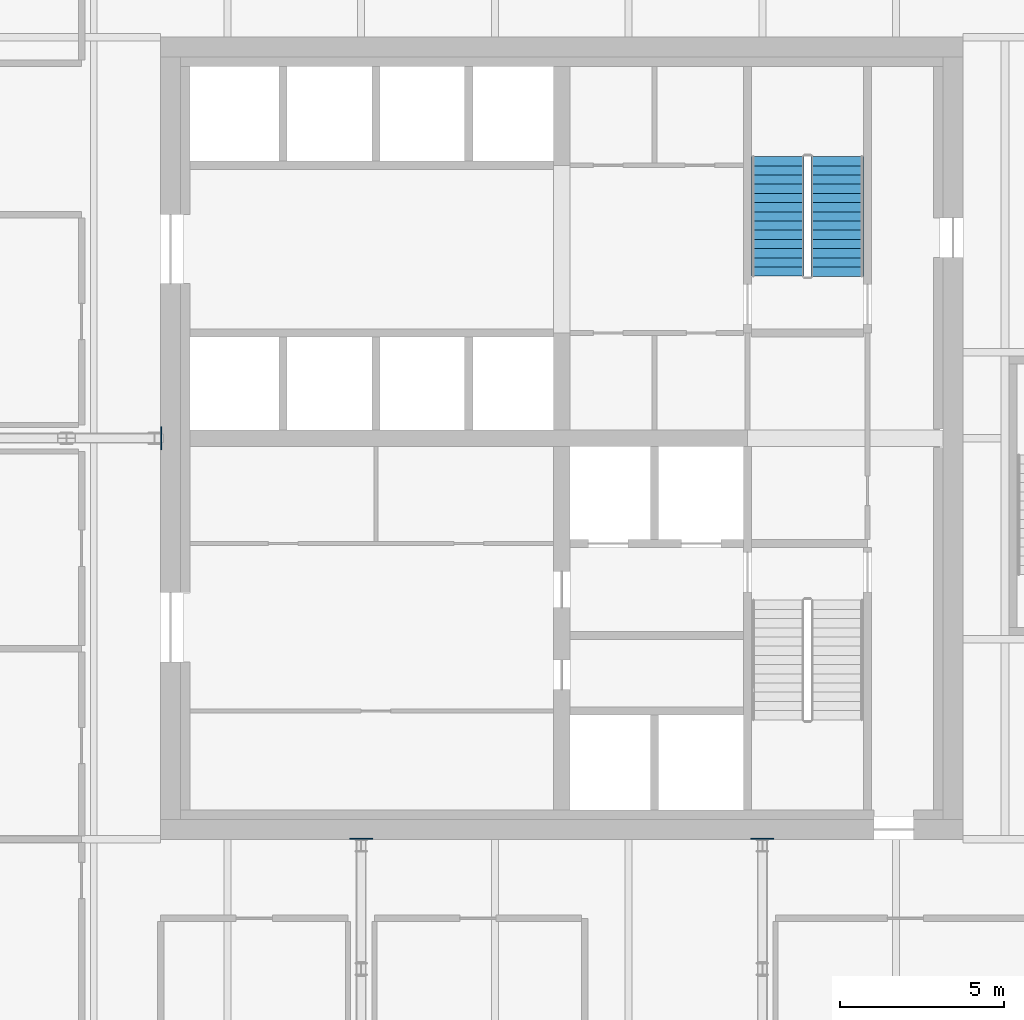
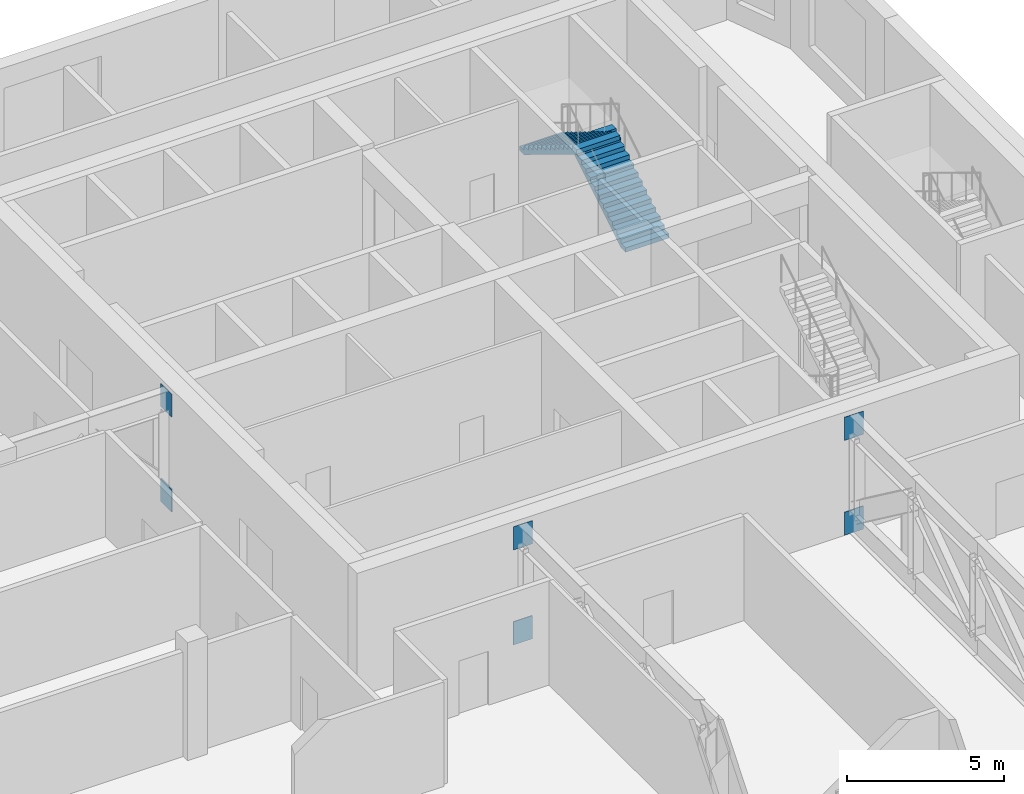
# One storey, part 11 of 12: 6 discrete accessories, 2 stair flights, 1 element without a shape of its own.
"""IFC4 building model written with IfcOpenShell, lengths in metres."""

from ifc_helpers import new_model, si_unit, direction, frame, origin, origin_2d, place, context, subcontext, project, spatial, polyline, rectangle, outline, extrude, material, layer, layer_set, type_object, element, aggregate, save


model = new_model("IFC4")

# Units and contexts
model_context = context("Model", 3, precision=1e-05, world=origin(), true_north=direction((0.0, 1.0)))
body_context = subcontext(model_context, "Body", "Model", "MODEL_VIEW")
ifc_project = project(units=[si_unit("LENGTHUNIT", "METRE"), si_unit("AREAUNIT", "SQUARE_METRE"), si_unit("VOLUMEUNIT", "CUBIC_METRE"), si_unit("PLANEANGLEUNIT", "RADIAN"), si_unit("MASSUNIT", "GRAM", prefix="KILO")], contexts=[model_context])

# Site, building, storey
site_placement = place(None, origin())
site = spatial("IfcSite", under=ifc_project, at=site_placement, CompositionType="ELEMENT")
building_placement = place(site_placement, origin())
building = spatial("IfcBuilding", under=site, at=building_placement, Name="Tessera Gate Towers", CompositionType="ELEMENT")
storey_placement = place(building_placement, frame((0.0, 0.0, 150.60009765625)))
storey = spatial("IfcBuildingStorey", under=building, at=storey_placement, Name="L37", CompositionType="ELEMENT", Elevation=150.60009765625)

# Stair, stair flights
ifc_material_1 = material(Name="Concrete C40/50", Category="concrete")
stair_type = type_object("IfcStairType", Name="EXIT STAIR ST2A 1600", PredefinedType="HALF_TURN_STAIR", material=ifc_material_1)
stair_placement = place(storey_placement, origin())
stair = element("IfcStair", 1, at=stair_placement, inside=storey, type_object=stair_type, Name="L37 Protected Exit Stair ST2", PredefinedType="HALF_TURN_STAIR")
ifc_material_2 = material(Name="Concrete C40/50", Category="concrete")
stair_flight_type = type_object("IfcStairFlightType", Name="EXIT STAIR FLIGHT ST2A 1600", PredefinedType="STRAIGHT", material=ifc_material_2)
stair_flight_1_placement = place(storey_placement, frame((51.074951171875, 41.52490234375, 0.0), z_axis=(0.0, 0.0, 1.0), x_axis=(0.0, 1.0, 0.0)))
stair_flight_1 = element("IfcStairFlight", 2, at=stair_flight_1_placement, type_object=stair_flight_type, Name="ST2 flight 1", NumberOfRisers=14, NumberOfTreads=13, PredefinedType="STRAIGHT", RiserHeight=0.171428571, TreadLength=0.28, context=body_context, shape_type="SweptSolid", body=[
    extrude(outline(polyline([(0.0, 0.0), (0.0, 0.17138671875), (0.280029296875, 0.17138671875), (0.280029296875, 0.3427734375), (0.56005859375, 0.3427734375), (0.56005859375, 0.514404296875), (0.840087890625, 0.514404296875), (0.840087890625, 0.685791015625), (1.1201171875, 0.685791015625), (1.1201171875, 0.857177734375), (1.39990234375, 0.857177734375), (1.39990234375, 1.028564453125), (1.679931640625, 1.028564453125), (1.679931640625, 1.199951171875), (1.9599609375, 1.199951171875), (1.9599609375, 1.371337890625), (2.239990234375, 1.371337890625), (2.239990234375, 1.54296875), (2.52001953125, 1.54296875), (2.52001953125, 1.71435546875), (2.800048828125, 1.71435546875), (2.800048828125, 1.8857421875), (3.080078125, 1.8857421875), (3.080078125, 2.05712890625), (3.360107421875, 2.05712890625), (3.360107421875, 2.228515625), (3.639892578125, 2.228515625), (3.639892578125, 2.39990234375), (3.639892578125, 2.052734375), (0.287109375, 0.0), (0.0, 0.0)])), frame((0.0, 0.800048828125, 0.0), z_axis=(0.0, -1.0, 0.0), x_axis=(1.0, 0.0, 0.0)), (0.0, 0.0, 1.0), 1.60009765625),
])
stair_flight_2_placement = place(storey_placement, frame((49.27490234375, 45.1650390625, 2.39990234375), z_axis=(0.0, 0.0, 1.0), x_axis=(0.0, -1.0, 0.0)))
stair_flight_2 = element("IfcStairFlight", 3, at=stair_flight_2_placement, type_object=stair_flight_type, Name="ST2 flight 2", NumberOfRisers=14, NumberOfTreads=13, PredefinedType="STRAIGHT", RiserHeight=0.171428571, TreadLength=0.28, context=body_context, shape_type="SweptSolid", body=[
    extrude(outline(polyline([(0.0, 0.0), (0.0, 0.17138671875), (0.280029296875, 0.17138671875), (0.280029296875, 0.3427734375), (0.56005859375, 0.3427734375), (0.56005859375, 0.514404296875), (0.840087890625, 0.514404296875), (0.840087890625, 0.685791015625), (1.1201171875, 0.685791015625), (1.1201171875, 0.857177734375), (1.39990234375, 0.857177734375), (1.39990234375, 1.028564453125), (1.679931640625, 1.028564453125), (1.679931640625, 1.199951171875), (1.9599609375, 1.199951171875), (1.9599609375, 1.371337890625), (2.239990234375, 1.371337890625), (2.239990234375, 1.54296875), (2.52001953125, 1.54296875), (2.52001953125, 1.71435546875), (2.800048828125, 1.71435546875), (2.800048828125, 1.8857421875), (3.080078125, 1.8857421875), (3.080078125, 2.05712890625), (3.360107421875, 2.05712890625), (3.360107421875, 2.228515625), (3.639892578125, 2.228515625), (3.639892578125, 2.39990234375), (3.639892578125, 2.052734375), (0.287109375, 0.0), (0.0, 0.0)])), frame((0.0, 0.800048828125, 0.0), z_axis=(0.0, -1.0, 0.0), x_axis=(1.0, 0.0, 0.0)), (0.0, 0.0, 1.0), 1.60009765625),
])
aggregate(stair, [stair_flight_1, stair_flight_2])

# Discrete accessories
ifc_material_3 = material(Name="Steel 350W", Category="steel")
ifc_layer = layer(ifc_material_3, 0.031982421875)
ifc_layer_set = layer_set([ifc_layer], Name="CAST-IN PLATE W920x201 CHORD NODE")
discrete_accessory_type = type_object("IfcDiscreteAccessoryType", Name="CAST-IN PLATE W920x201 CHORD NODE", PredefinedType="ANCHORPLATE", material=ifc_layer_set)
for number, where, z_axis, x_axis, name in (
    (4, (30.51611328125, 36.60009765625, 3.69677734375), (0.0, 0.0, 1.0), (1.0, 0.0, 0.0), "Cast-in plate CP2 Outrigger truss T1 L37 W1a top node"),
    (5, (30.51611328125, 36.60009765625, 0.0), (0.0, 0.0, 1.0), (1.0, 0.0, 0.0), "Cast-in plate CP2 Outrigger truss T1 L37 W1a bottom node"),
):
    element("IfcDiscreteAccessory", number, at=place(storey_placement, frame(where, z_axis=z_axis, x_axis=x_axis)), inside=storey, type_object=discrete_accessory_type, Name=name, PredefinedType="ANCHORPLATE", context=body_context, shape_type="SweptSolid", body=[
        extrude(rectangle(XDim=0.031982421875, YDim=0.699951171875, at=origin_2d()), origin(), (0.0, 0.0, 1.0), 0.903076171875),
    ])
for number, where, z_axis, x_axis, name in (
    (6, (36.60009765625, 24.416015625, 3.69677734375), (0.0, 0.0, 1.0), (1.0, 0.0, 0.0), "Cast-in plate CP2 Outrigger truss T1 L37 S1a top node"),
    (7, (36.60009765625, 24.416015625, 0.0), (0.0, 0.0, 1.0), (1.0, 0.0, 0.0), "Cast-in plate CP2 Outrigger truss T1 L37 S1a bottom node"),
    (8, (48.800048828125, 24.416015625, 3.69677734375), (0.0, 0.0, 1.0), (1.0, 0.0, 0.0), "Cast-in plate CP2 Outrigger truss T1 L37 S2a top node"),
    (9, (48.800048828125, 24.416015625, 0.0), (0.0, 0.0, 1.0), (1.0, 0.0, 0.0), "Cast-in plate CP2 Outrigger truss T1 L37 S2a bottom node"),
):
    element("IfcDiscreteAccessory", number, at=place(storey_placement, frame(where, z_axis=z_axis, x_axis=x_axis)), inside=storey, type_object=discrete_accessory_type, Name=name, PredefinedType="ANCHORPLATE", context=body_context, shape_type="SweptSolid", body=[
        extrude(rectangle(XDim=0.699951171875, YDim=0.031982421875, at=origin_2d()), origin(), (0.0, 0.0, 1.0), 0.903076171875),
    ])

save(model, "model.ifc")
